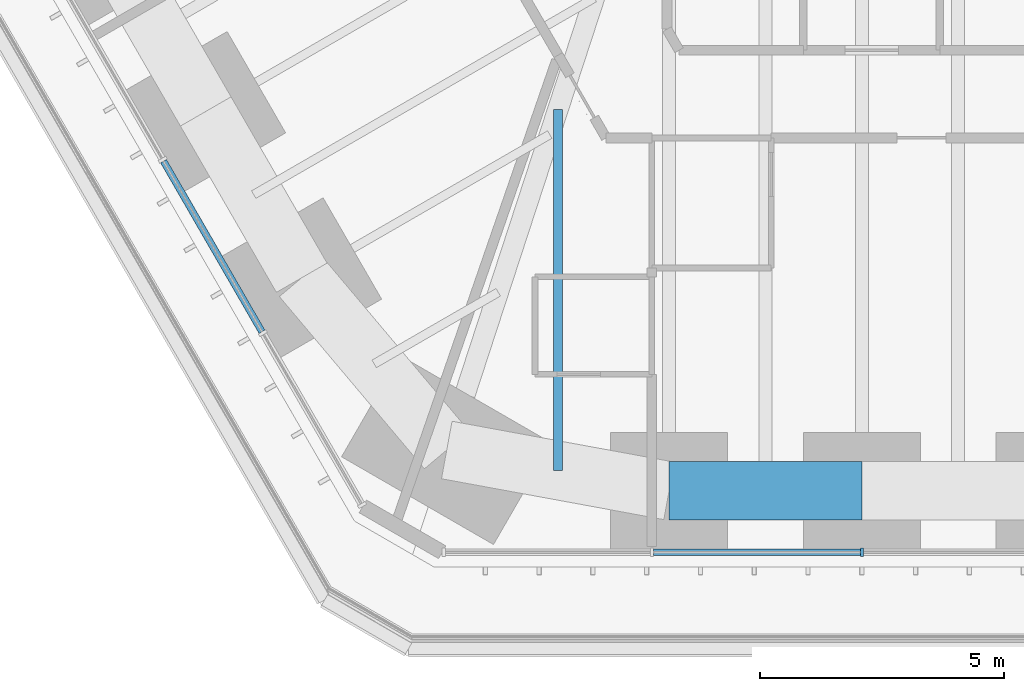
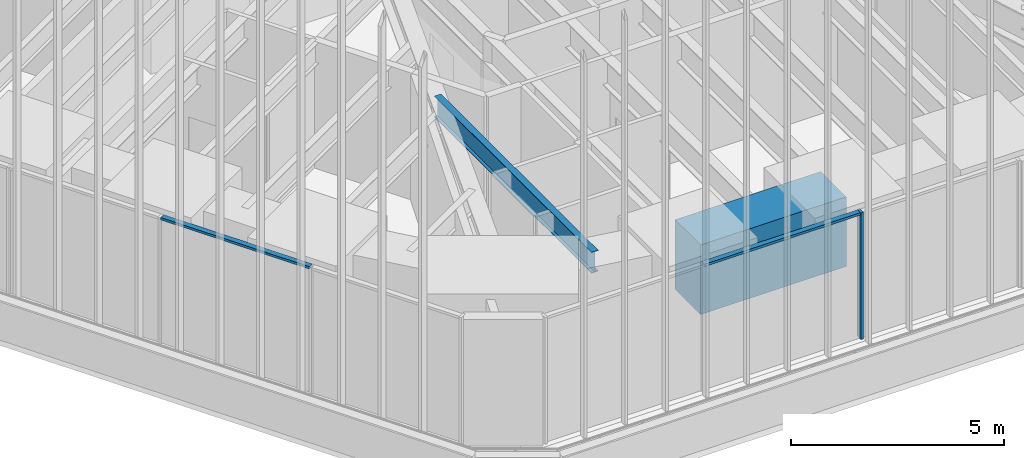
# One storey, part 27 of 238: 3 members, 2 beams, 2 elements without a shape of their own.
"""IFC4 building model written with IfcOpenShell, lengths in metres."""

from ifc_helpers import new_model, si_unit, direction, frame, origin, origin_2d, place, context, subcontext, project, spatial, rectangle, i_section, extrude, material, material_profile, profile_set, type_object, element, aggregate, save


model = new_model("IFC4")

# Units and contexts
model_context = context("Model", 3, precision=1e-05, world=origin(), true_north=direction((0.0, 1.0)))
body_context = subcontext(model_context, "Body", "Model", "MODEL_VIEW")
ifc_project = project(units=[si_unit("LENGTHUNIT", "METRE"), si_unit("AREAUNIT", "SQUARE_METRE"), si_unit("VOLUMEUNIT", "CUBIC_METRE"), si_unit("PLANEANGLEUNIT", "RADIAN"), si_unit("MASSUNIT", "GRAM", prefix="KILO")], contexts=[model_context])

# Site, building, storey
site_placement = place(None, origin())
site = spatial("IfcSite", under=ifc_project, at=site_placement, CompositionType="ELEMENT")
building_placement = place(site_placement, origin())
building = spatial("IfcBuilding", under=site, at=building_placement, Name="Sandreach Pilgrim Tower", CompositionType="ELEMENT")
storey_placement = place(building_placement, frame((0.0, 0.0, 96.800048828125)))
storey = spatial("IfcBuildingStorey", under=building, at=storey_placement, Name="L23", CompositionType="ELEMENT", Elevation=96.800048828125)

# Curtain wall, members
ifc_material_1 = material(Name="Aluminium framed curtain wall", Category="aluminium")
curtain_wall_type = type_object("IfcCurtainWallType", Name="Hotel tower curtain wall", PredefinedType="NOTDEFINED", material=ifc_material_1)
curtain_wall_1_placement = place(storey_placement, origin())
curtain_wall_1 = element("IfcCurtainWall", 1, at=curtain_wall_1_placement, inside=storey, type_object=curtain_wall_type, Name="CW-2 L23 SA", PredefinedType="NOTDEFINED")
ifc_material_2 = material(Name="Aluminium extrusion", Category="aluminium")
ifc_material_profile_1 = material_profile(ifc_material_2, rectangle(XDim=0.06494140625, YDim=0.179931640625, at=origin_2d()), Name="CW-2M 65X180")
ifc_profile_set_1 = profile_set([ifc_material_profile_1], Name="Aluminium extrusion")
member_type_1 = type_object("IfcMemberType", Name="CW-2 mullion", PredefinedType="MULLION", material=ifc_profile_set_1)
member_1_placement = place(storey_placement, frame((0.0, -28.192138671875, 0.0), z_axis=(0.0, 0.0, 1.0), x_axis=(-1.0, 0.0, 0.0)))
member_1 = element("IfcMember", 2, at=member_1_placement, type_object=member_type_1, Name="CW-2 mullion 2", PredefinedType="MULLION", context=body_context, shape_type="SweptSolid", body=[
    extrude(rectangle(XDim=0.06494140625, YDim=0.179931640625, at=origin_2d()), origin(), (0.0, 0.0, 1.0), 3.639892578125),
])
ifc_material_3 = material(Name="Aluminium extrusion", Category="aluminium")
ifc_material_profile_2 = material_profile(ifc_material_3, rectangle(XDim=0.139892578125, YDim=0.070068359375, at=origin_2d()), Name="CW-2T 140X70")
ifc_profile_set_2 = profile_set([ifc_material_profile_2], Name="Aluminium extrusion")
member_type_2 = type_object("IfcMemberType", Name="CW-2 transom", PredefinedType="USERDEFINED", material=ifc_profile_set_2)
member_2_placement = place(storey_placement, frame((-0.032470703125, -28.192138671875, 3.60498046875), z_axis=(-1.0, 0.0, 0.0), x_axis=(0.0, -1.0, 0.0)))
member_2 = element("IfcMember", 3, at=member_2_placement, type_object=member_type_2, Name="CW-2 head transom 2", ObjectType="TRANSOM", PredefinedType="USERDEFINED", context=body_context, shape_type="SweptSolid", body=[
    extrude(rectangle(XDim=0.139892578125, YDim=0.070068359375, at=origin_2d()), origin(), (0.0, 0.0, 1.0), 4.24072265625),
])
aggregate(curtain_wall_1, [member_1, member_2])

# Curtain wall, member
curtain_wall_2_placement = place(storey_placement, origin())
curtain_wall_2 = element("IfcCurtainWall", 4, at=curtain_wall_2_placement, inside=storey, type_object=curtain_wall_type, Name="CW-2 L23 SW", PredefinedType="NOTDEFINED")
member_3_placement = place(storey_placement, frame((-12.309326171875, -23.667236328125, 3.60498046875), z_axis=(-0.500023973715, 0.866011562111, 0.0), x_axis=(-0.866011562111, -0.500023973715, 0.0)))
member_3 = element("IfcMember", 5, at=member_3_placement, type_object=member_type_2, Name="CW-2 head transom 2", ObjectType="TRANSOM", PredefinedType="USERDEFINED", context=body_context, shape_type="SweptSolid", body=[
    extrude(rectangle(XDim=0.139892578125, YDim=0.070068359375, at=origin_2d()), origin(), (0.0, 0.0, 1.0), 4.041748046875),
])
aggregate(curtain_wall_2, [member_3])

# Beams
ifc_material_4 = material(Name="Steel ASTM A992 Grade 50", Category="steel")
ifc_material_profile_3 = material_profile(ifc_material_4, i_section(OverallWidth=0.1787109375, OverallDepth=0.60205078125, WebThickness=0.010986328125, FlangeThickness=0.014892578125, at=origin_2d()), Name="W24X62")
ifc_profile_set_3 = profile_set([ifc_material_profile_3], Name="Steel ASTM A992 Grade 50")
beam_type_1 = type_object("IfcBeamType", Name="Floor beam W24X62", PredefinedType="BEAM", material=ifc_profile_set_3)
beam_1_placement = place(storey_placement, frame((-6.236572265625, -26.51318359375, 3.3388671875), z_axis=(0.0, 1.0, 0.0), x_axis=(-1.0, 0.0, 0.0)))
element("IfcBeam", 6, at=beam_1_placement, inside=storey, type_object=beam_type_1, Name="BM L23 FM25", PredefinedType="BEAM", context=body_context, shape_type="SweptSolid", body=[
    extrude(i_section(OverallWidth=0.1787109375, OverallDepth=0.60205078125, WebThickness=0.010986328125, FlangeThickness=0.014892578125, at=origin_2d()), origin(), (0.0, 0.0, 1.0), 7.40771484375),
])
ifc_material_5 = material(Name="Concrete 10000 psi", Category="concrete")
ifc_material_profile_4 = material_profile(ifc_material_5, rectangle(XDim=1.199951171875, YDim=2.0, at=origin_2d()), Name="RC1200X2000")
ifc_profile_set_4 = profile_set([ifc_material_profile_4], Name="Concrete 10000 psi")
beam_type_2 = type_object("IfcBeamType", Name="Spandrel beam RC1200X2000", PredefinedType="SPANDREL", material=ifc_profile_set_4)
beam_2_placement = place(storey_placement, frame((0.0, -26.93212890625, 2.639892578125), z_axis=(-1.0, 0.0, 0.0), x_axis=(0.0, -1.0, 0.0)))
element("IfcBeam", 7, at=beam_2_placement, inside=storey, type_object=beam_type_2, Name="BM L23 SP24", PredefinedType="SPANDREL", context=body_context, shape_type="SweptSolid", body=[
    extrude(rectangle(XDim=1.199951171875, YDim=2.0, at=origin_2d()), origin(), (0.0, 0.0, 1.0), 3.955322265625),
])

save(model, "model.ifc")
